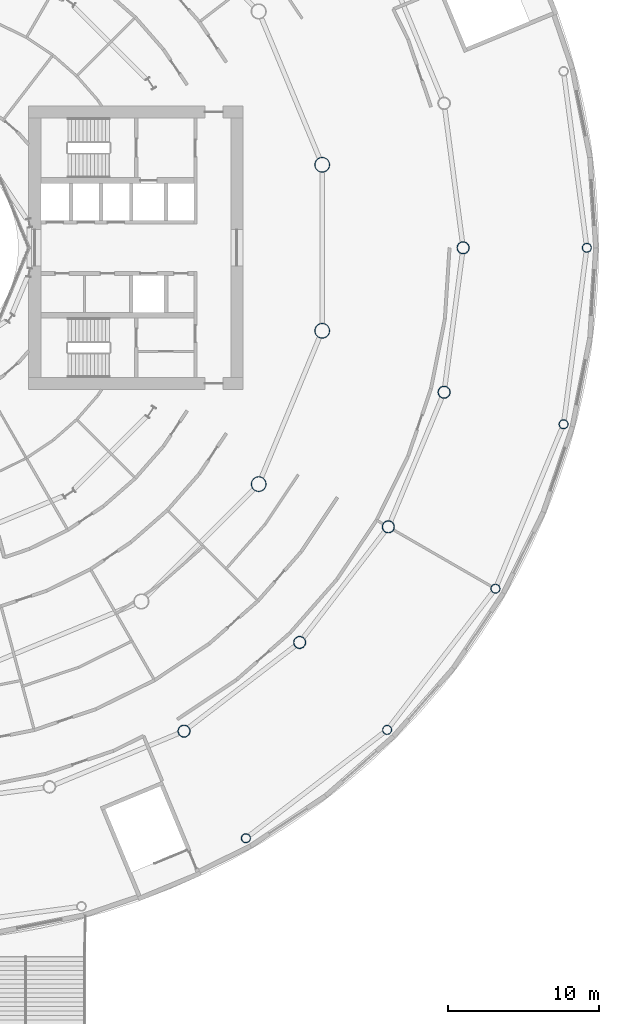
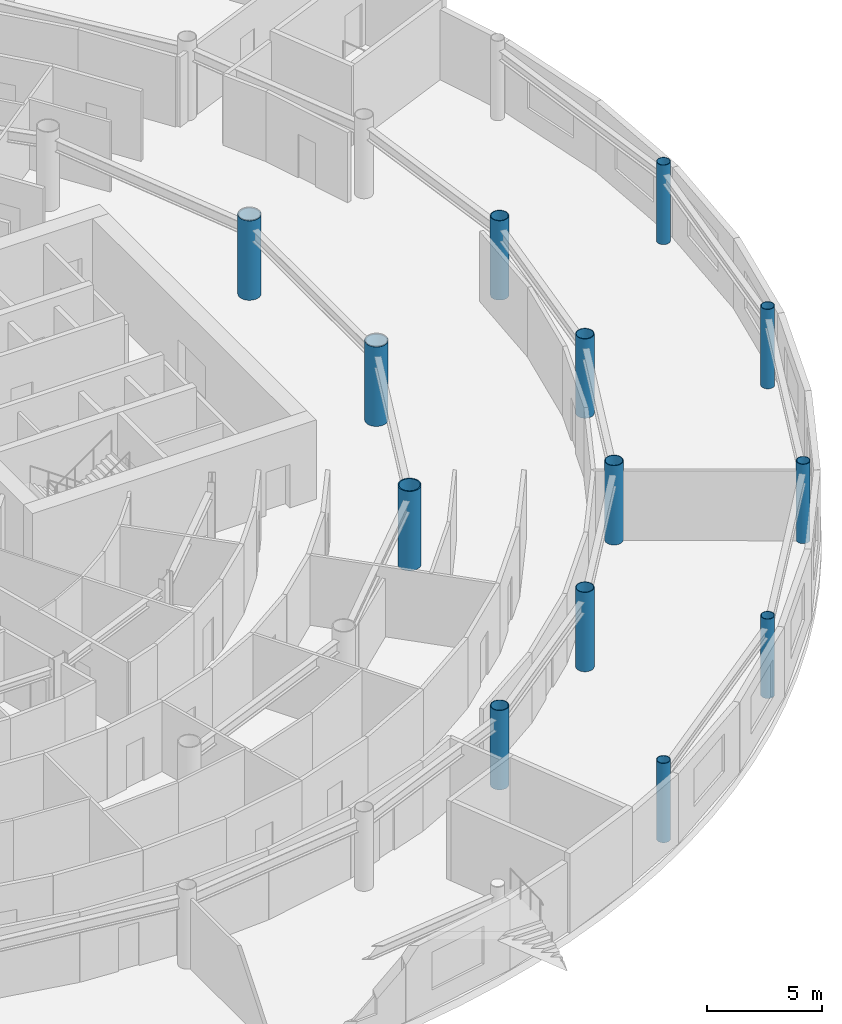
# One storey, part 3 of 29: 13 columns.
"""IFC4 building model written with IfcOpenShell, lengths in metres."""

from ifc_helpers import new_model, si_unit, direction, frame, origin, origin_2d, place, context, subcontext, project, spatial, hollow_circle, extrude, material, material_profile, profile_set, type_object, element, save


model = new_model("IFC4")

# Units and contexts
model_context = context("Model", 3, precision=1e-05, world=origin(), true_north=direction((0.0, 1.0)))
body_context = subcontext(model_context, "Body", "Model", "MODEL_VIEW")
ifc_project = project(units=[si_unit("LENGTHUNIT", "METRE"), si_unit("AREAUNIT", "SQUARE_METRE"), si_unit("VOLUMEUNIT", "CUBIC_METRE"), si_unit("PLANEANGLEUNIT", "RADIAN"), si_unit("MASSUNIT", "GRAM", prefix="KILO")], contexts=[model_context])

# Site, building, storey
site_placement = place(None, origin())
site = spatial("IfcSite", under=ifc_project, at=site_placement, CompositionType="ELEMENT")
building_placement = place(site_placement, origin())
building = spatial("IfcBuilding", under=site, at=building_placement, Name="Maasbend Ring Residences", CompositionType="ELEMENT")
storey_placement = place(building_placement, frame((0.0, 0.0, 5.39990234375)))
storey = spatial("IfcBuildingStorey", under=building, at=storey_placement, Name="L01", CompositionType="ELEMENT", Elevation=5.39990234375)

# Columns
ifc_material_1 = material(Name="Composite concrete-filled steel tube S460NH / C80/95", Category="concrete")
ifc_material_profile_1 = material_profile(ifc_material_1, hollow_circle(Radius=0.508056640625, WallThickness=0.050048828125, at=origin_2d()), Name="Composite tube column CHS 1016x50")
ifc_profile_set_1 = profile_set([ifc_material_profile_1], Name="Composite concrete-filled steel tube S460NH / C80/95")
column_type_1 = type_object("IfcColumnType", Name="Composite tube column CHS 1016x50", PredefinedType="COLUMN", material=ifc_profile_set_1)
for number, where, z_axis, x_axis, name in (
    (1, (27.658203125, 5.50146484375, 0.0), (0.0, 0.0, 1.0), (1.0, 0.0, 0.0), "Outer column R1"),
    (2, (23.447509765625, -15.6669921875, 0.0), (0.0, 0.0, 1.0), (1.0, 0.0, 0.0), "Outer column R15"),
    (3, (27.658203125, -5.50146484375, 0.0), (0.0, 0.0, 1.0), (1.0, 0.0, 0.0), "Outer column R16"),
):
    element("IfcColumn", number, at=place(storey_placement, frame(where, z_axis=z_axis, x_axis=x_axis)), inside=storey, type_object=column_type_1, Name=name, PredefinedType="COLUMN", context=body_context, shape_type="SweptSolid", body=[
        extrude(hollow_circle(Radius=0.508056640625, WallThickness=0.050048828125, at=origin_2d()), origin(), (0.0, 0.0, 1.0), 4.2001953125),
    ])
ifc_material_2 = material(Name="Composite concrete-filled steel tube S460NH / C80/95", Category="concrete")
ifc_material_profile_2 = material_profile(ifc_material_2, hollow_circle(Radius=0.304931640625, WallThickness=0.02490234375, at=origin_2d()), Name="Composite tube column CHS 610x25")
ifc_profile_set_2 = profile_set([ifc_material_profile_2], Name="Composite concrete-filled steel tube S460NH / C80/95")
column_type_2 = type_object("IfcColumnType", Name="Composite tube column CHS 610x25", PredefinedType="COLUMN", material=ifc_profile_set_2)
for number, where, z_axis, x_axis, name in (
    (4, (45.199951171875, 0.0, 0.0), (0.0, 0.0, 1.0), (1.0, 0.0, 0.0), "Deck edge column B01"),
    (5, (22.60009765625, -39.144287109375, 0.0), (0.0, 0.0, 1.0), (1.0, 0.0, 0.0), "Deck edge column B21"),
    (6, (31.961181640625, -31.961181640625, 0.0), (0.0, 0.0, 1.0), (1.0, 0.0, 0.0), "Deck edge column B22"),
    (7, (39.144287109375, -22.60009765625, 0.0), (0.0, 0.0, 1.0), (1.0, 0.0, 0.0), "Deck edge column B23"),
    (8, (43.659912109375, -11.698486328125, 0.0), (0.0, 0.0, 1.0), (1.0, 0.0, 0.0), "Deck edge column B24"),
):
    element("IfcColumn", number, at=place(storey_placement, frame(where, z_axis=z_axis, x_axis=x_axis)), inside=storey, type_object=column_type_2, Name=name, PredefinedType="COLUMN", context=body_context, shape_type="SweptSolid", body=[
        extrude(hollow_circle(Radius=0.304931640625, WallThickness=0.02490234375, at=origin_2d()), origin(), (0.0, 0.0, 1.0), 4.2001953125),
    ])
ifc_material_3 = material(Name="Composite concrete-filled steel tube S460NH / C80/95", Category="concrete")
ifc_material_profile_3 = material_profile(ifc_material_3, hollow_circle(Radius=0.406494140625, WallThickness=0.030029296875, at=origin_2d()), Name="Composite tube column CHS 813x30")
ifc_profile_set_3 = profile_set([ifc_material_profile_3], Name="Composite concrete-filled steel tube S460NH / C80/95")
column_type_3 = type_object("IfcColumnType", Name="Composite tube column CHS 813x30", PredefinedType="COLUMN", material=ifc_profile_set_3)
for number, where, z_axis, x_axis, name in (
    (9, (37.0, 0.0, 0.0), (0.0, 0.0, 1.0), (1.0, 0.0, 0.0), "Podium column B01"),
    (10, (18.5, -32.04296875, 0.0), (0.0, 0.0, 1.0), (1.0, 0.0, 0.0), "Podium column B21"),
    (11, (26.1630859375, -26.1630859375, 0.0), (0.0, 0.0, 1.0), (1.0, 0.0, 0.0), "Podium column B22"),
    (12, (32.04296875, -18.5, 0.0), (0.0, 0.0, 1.0), (1.0, 0.0, 0.0), "Podium column B23"),
    (13, (35.7392578125, -9.576416015625, 0.0), (0.0, 0.0, 1.0), (1.0, 0.0, 0.0), "Podium column B24"),
):
    element("IfcColumn", number, at=place(storey_placement, frame(where, z_axis=z_axis, x_axis=x_axis)), inside=storey, type_object=column_type_3, Name=name, PredefinedType="COLUMN", context=body_context, shape_type="SweptSolid", body=[
        extrude(hollow_circle(Radius=0.406494140625, WallThickness=0.030029296875, at=origin_2d()), origin(), (0.0, 0.0, 1.0), 4.2001953125),
    ])

save(model, "model.ifc")
